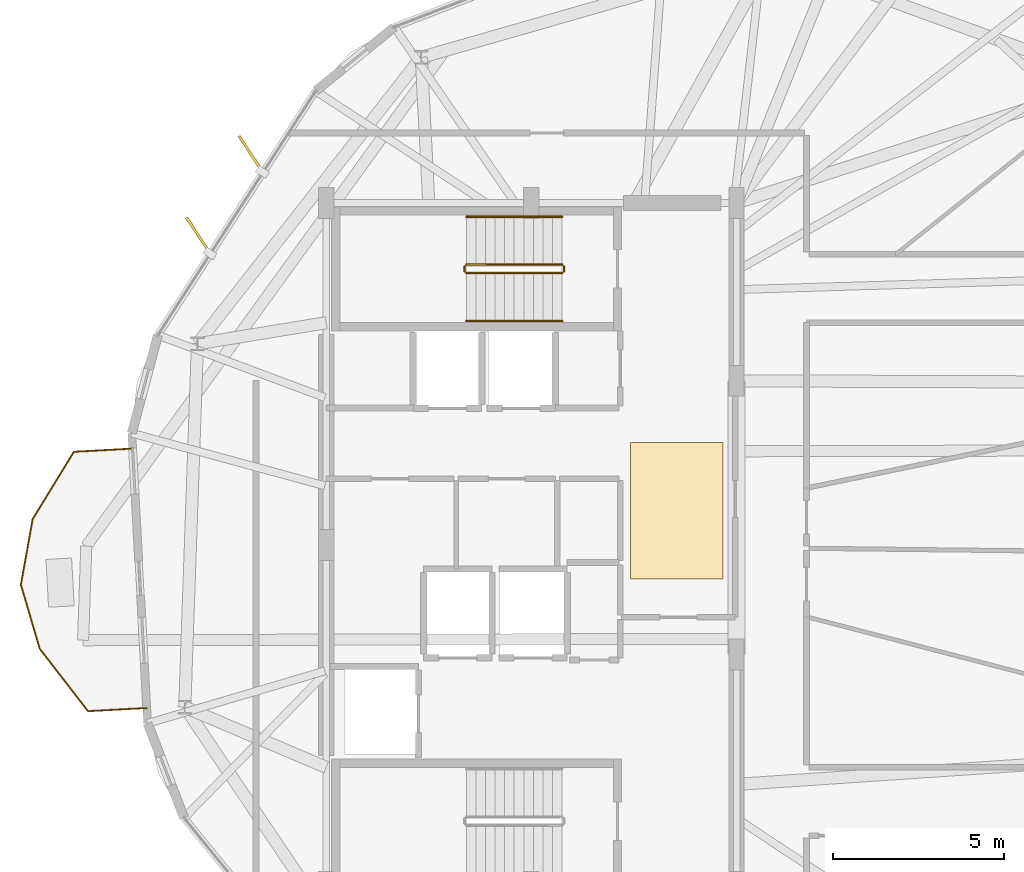
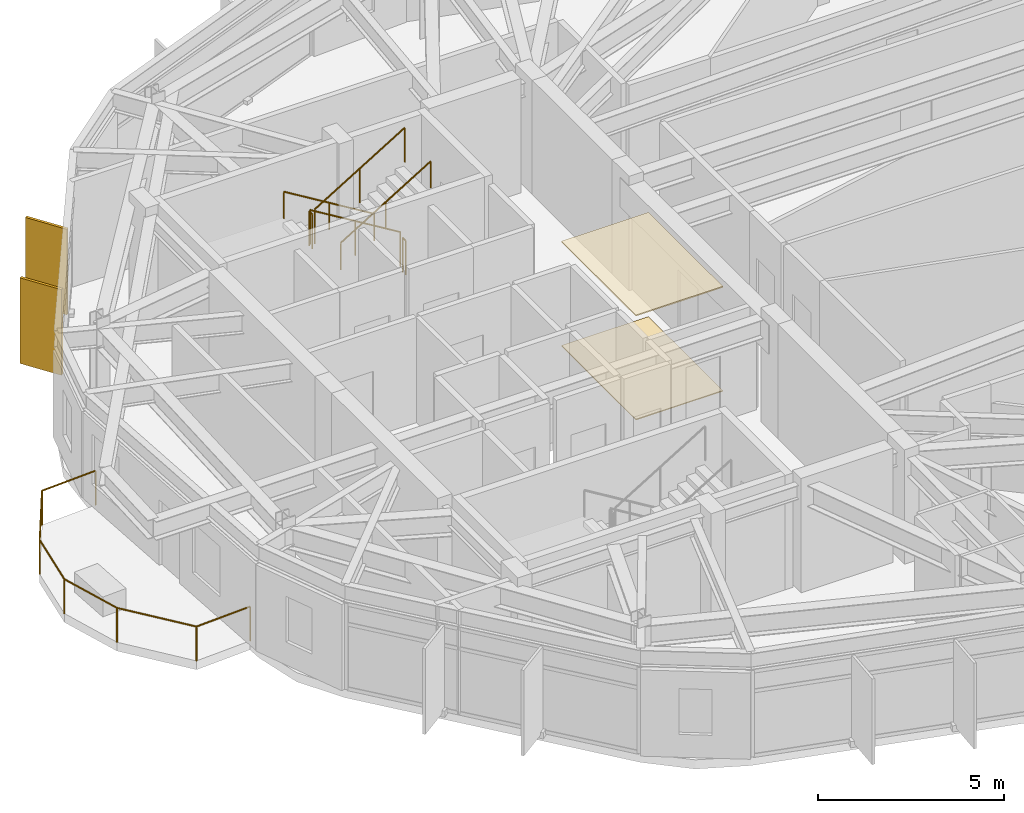
# One storey, part 25 of 26: 7 railings, 2 coverings, 2 shading devices.
"""IFC4 building model written with IfcOpenShell, lengths in metres."""

from ifc_helpers import new_model, si_unit, direction, frame, origin, origin_2d, place, context, subcontext, project, spatial, polyline, rectangle, circle, outline, extrude, material, layer, layer_set, type_object, element, save


model = new_model("IFC4")

# Units and contexts
model_context = context("Model", 3, precision=1e-05, world=origin(), true_north=direction((0.0, 1.0)))
body_context = subcontext(model_context, "Body", "Model", "MODEL_VIEW")
ifc_project = project(units=[si_unit("LENGTHUNIT", "METRE"), si_unit("AREAUNIT", "SQUARE_METRE"), si_unit("VOLUMEUNIT", "CUBIC_METRE"), si_unit("PLANEANGLEUNIT", "RADIAN"), si_unit("MASSUNIT", "GRAM", prefix="KILO")], contexts=[model_context])

# Site, building, storey
site_placement = place(None, origin())
site = spatial("IfcSite", under=ifc_project, at=site_placement, CompositionType="ELEMENT")
building_placement = place(site_placement, origin())
building = spatial("IfcBuilding", under=site, at=building_placement, Name="Soratama Intermodal Tower", CompositionType="ELEMENT")
storey_placement = place(building_placement, frame((0.0, 0.0, 242.5)))
storey = spatial("IfcBuildingStorey", under=building, at=storey_placement, Name="L61", CompositionType="ELEMENT", Elevation=242.5)

# Coverings
ifc_material_1 = material(Name="Perforated mineral acoustic ceiling", Category="concrete")
ifc_layer_1 = layer(ifc_material_1, 0.0400390625)
ifc_layer_set_1 = layer_set([ifc_layer_1], Name="Perforated mineral acoustic ceiling")
covering_type_1 = type_object("IfcCoveringType", Name="CV-CEIL-ACOUSTIC", PredefinedType="CEILING", material=ifc_layer_set_1)
covering_1_placement = place(storey_placement, frame((0.0, 0.0, 3.409912109375)))
element("IfcCovering", 1, at=covering_1_placement, inside=storey, type_object=covering_type_1, Name="L61 Acoustic Ceiling", PredefinedType="CEILING", context=body_context, shape_type="SweptSolid", body=[
    extrude(outline(polyline([(41.5, 24.0), (44.199951171875, 24.0), (44.199951171875, 28.0), (41.5, 28.0), (41.5, 24.0)])), origin(), (0.0, 0.0, 1.0), 0.0400390625),
])
ifc_material_2 = material(Name="Polished Andean stone terrazzo flooring", Category="masonry")
ifc_layer_2 = layer(ifc_material_2, 0.030029296875)
ifc_layer_set_2 = layer_set([ifc_layer_2], Name="Polished Andean stone terrazzo flooring")
covering_type_2 = type_object("IfcCoveringType", Name="CV-FLOR-TERRAZZO", PredefinedType="FLOORING", material=ifc_layer_set_2)
covering_2_placement = place(storey_placement, origin())
element("IfcCovering", 2, at=covering_2_placement, inside=storey, type_object=covering_type_2, Name="L61 Lobby Terrazzo Flooring", PredefinedType="FLOORING", context=body_context, shape_type="SweptSolid", body=[
    extrude(outline(polyline([(41.5, 24.0), (44.199951171875, 24.0), (44.199951171875, 28.0), (41.5, 28.0), (41.5, 24.0)])), origin(), (0.0, 0.0, 1.0), 0.030029296875),
])

# Railings
ifc_material_3 = material(Name="Laminated glass and stainless steel balustrade", Category="steel")
railing_type_1 = type_object("IfcRailingType", Name="RL-BAL-1150", PredefinedType="BALUSTRADE", material=ifc_material_3)
railing_1_placement = place(storey_placement, frame((27.353515625, 20.232421875, 0.0)))
element("IfcRailing", 3, at=railing_1_placement, inside=storey, type_object=railing_type_1, Name="L61 Balcony Balustrade 3", PredefinedType="BALUSTRADE", context=body_context, shape_type="SweptSolid", body=[
    extrude(circle(Radius=0.02392578125, at=origin_2d()), frame((0.0, 0.0, 1.1259765625), z_axis=(-0.998521316452, -0.054361572736, 0.0), x_axis=(0.054361572736, -0.998521316452, 0.0)), (0.0, 0.0, 1.0), 1.719970703125),
    extrude(circle(Radius=0.02392578125, at=origin_2d()), frame((-1.717529296875, -0.093505859375, 1.1259765625), z_axis=(-0.611880889467, 0.790949920732, 0.0), x_axis=(-0.790949920732, -0.611880889467, 0.0)), (0.0, 0.0, 1.0), 2.30810546875),
    extrude(circle(Radius=0.02392578125, at=origin_2d()), frame((-3.1298828125, 1.732177734375, 1.1259765625), z_axis=(-0.282606348441, 0.95923597296, 0.0), x_axis=(-0.95923597296, -0.282606348441, 0.0)), (0.0, 0.0, 1.0), 1.952392578125),
    extrude(circle(Radius=0.02392578125, at=origin_2d()), frame((-3.681640625, 3.60498046875, 1.1259765625), z_axis=(0.176695125989, 0.984265631043, 0.0), x_axis=(-0.984265631043, 0.176695125989, 0.0)), (0.0, 0.0, 1.0), 1.952392578125),
    extrude(circle(Radius=0.02392578125, at=origin_2d()), frame((-3.336669921875, 5.526611328125, 1.1259765625), z_axis=(0.522266893052, 0.852782089647, 0.0), x_axis=(-0.852782089647, 0.522266893052, 0.0)), (0.0, 0.0, 1.0), 2.308349609375),
    extrude(circle(Radius=0.02392578125, at=origin_2d()), frame((-2.131103515625, 7.4951171875, 1.1259765625), z_axis=(0.998513180297, 0.054510813368, 0.0), x_axis=(-0.054510813368, 0.998513180297, 0.0)), (0.0, 0.0, 1.0), 1.7197265625),
    extrude(circle(Radius=0.02099609375, at=origin_2d()), origin(), (0.0, 0.0, 1.0), 1.101806640625),
    extrude(circle(Radius=0.02099609375, at=origin_2d()), frame((-1.717529296875, -0.093505859375, 0.0)), (0.0, 0.0, 1.0), 1.101806640625),
    extrude(circle(Radius=0.02099609375, at=origin_2d()), frame((-3.1298828125, 1.732177734375, 0.0)), (0.0, 0.0, 1.0), 1.101806640625),
    extrude(circle(Radius=0.02099609375, at=origin_2d()), frame((-3.681640625, 3.60498046875, 0.0)), (0.0, 0.0, 1.0), 1.101806640625),
    extrude(circle(Radius=0.02099609375, at=origin_2d()), frame((-3.336669921875, 5.526611328125, 0.0)), (0.0, 0.0, 1.0), 1.101806640625),
    extrude(circle(Radius=0.02099609375, at=origin_2d()), frame((-2.131103515625, 7.4951171875, 0.0)), (0.0, 0.0, 1.0), 1.101806640625),
    extrude(circle(Radius=0.02099609375, at=origin_2d()), frame((-0.413818359375, 7.5888671875, 0.0)), (0.0, 0.0, 1.0), 1.101806640625),
])
ifc_material_4 = material(Name="Painted steel stair guardrail", Category="steel")
railing_type_2 = type_object("IfcRailingType", Name="RL-STAIR-GUARD", PredefinedType="GUARDRAIL", material=ifc_material_4)
railing_2_placement = place(storey_placement, frame((39.5, 33.199951171875, 0.17041015625)))
element("IfcRailing", 4, at=railing_2_placement, inside=storey, type_object=railing_type_2, Name="L61 ST-2 stair guard 1", PredefinedType="GUARDRAIL", context=body_context, shape_type="SweptSolid", body=[
    extrude(circle(Radius=0.02392578125, at=origin_2d()), frame((0.0, 0.0, 1.1259765625), z_axis=(-0.854169791009, 0.0, 0.51999420009), x_axis=(0.0, -1.0, 0.0)), (0.0, 0.0, 1.0), 3.278076171875),
    extrude(circle(Radius=0.02099609375, at=origin_2d()), origin(), (0.0, 0.0, 1.0), 1.101806640625),
    extrude(circle(Radius=0.02099609375, at=origin_2d()), frame((-1.39990234375, 0.0, 0.852294921875)), (0.0, 0.0, 1.0), 1.101806640625),
    extrude(circle(Radius=0.02099609375, at=origin_2d()), frame((-2.800048828125, 0.0, 1.70458984375)), (0.0, 0.0, 1.0), 1.101806640625),
])
railing_3_placement = place(storey_placement, frame((36.64990234375, 33.14990234375, 1.875)))
element("IfcRailing", 5, at=railing_3_placement, inside=storey, type_object=railing_type_2, Name="L61 ST-2 stair guard 2", PredefinedType="GUARDRAIL", context=body_context, shape_type="SweptSolid", body=[
    extrude(circle(Radius=0.02392578125, at=origin_2d()), frame((0.0, 0.0, 1.1259765625), z_axis=(0.0, -1.0, 0.0), x_axis=(1.0, 0.0, 0.0)), (0.0, 0.0, 1.0), 0.14990234375),
    extrude(circle(Radius=0.02099609375, at=origin_2d()), origin(), (0.0, 0.0, 1.0), 1.101806640625),
    extrude(circle(Radius=0.02099609375, at=origin_2d()), frame((0.0, -0.14990234375, 0.0)), (0.0, 0.0, 1.0), 1.101806640625),
])
railing_4_placement = place(storey_placement, frame((36.699951171875, 32.949951171875, 2.04541015625)))
element("IfcRailing", 6, at=railing_4_placement, inside=storey, type_object=railing_type_2, Name="L61 ST-2 stair guard 3", PredefinedType="GUARDRAIL", context=body_context, shape_type="SweptSolid", body=[
    extrude(circle(Radius=0.02392578125, at=origin_2d()), frame((0.0, 0.0, 1.1259765625), z_axis=(0.854169791009, 0.0, 0.51999420009), x_axis=(0.0, 1.0, 0.0)), (0.0, 0.0, 1.0), 3.278076171875),
    extrude(circle(Radius=0.02099609375, at=origin_2d()), origin(), (0.0, 0.0, 1.0), 1.101806640625),
    extrude(circle(Radius=0.02099609375, at=origin_2d()), frame((1.39990234375, 0.0, 0.852294921875)), (0.0, 0.0, 1.0), 1.101806640625),
    extrude(circle(Radius=0.02099609375, at=origin_2d()), frame((2.800048828125, 0.0, 1.70458984375)), (0.0, 0.0, 1.0), 1.101806640625),
])
railing_5_placement = place(storey_placement, frame((39.550048828125, 33.14990234375, 0.0)))
element("IfcRailing", 7, at=railing_5_placement, inside=storey, type_object=railing_type_2, Name="L61 ST-2 stair guard 4", PredefinedType="GUARDRAIL", context=body_context, shape_type="SweptSolid", body=[
    extrude(circle(Radius=0.02392578125, at=origin_2d()), frame((0.0, 0.0, 1.1259765625), z_axis=(0.0, -1.0, 0.0), x_axis=(1.0, 0.0, 0.0)), (0.0, 0.0, 1.0), 0.14990234375),
    extrude(circle(Radius=0.02099609375, at=origin_2d()), origin(), (0.0, 0.0, 1.0), 1.101806640625),
    extrude(circle(Radius=0.02099609375, at=origin_2d()), frame((0.0, -0.14990234375, 0.0)), (0.0, 0.0, 1.0), 1.101806640625),
])
ifc_material_5 = material(Name="Brushed stainless steel handrail", Category="steel")
railing_type_3 = type_object("IfcRailingType", Name="RL-STAIR-HAND", PredefinedType="HANDRAIL", material=ifc_material_5)
railing_6_placement = place(storey_placement, frame((39.5, 34.60009765625, 0.17041015625)))
element("IfcRailing", 8, at=railing_6_placement, inside=storey, type_object=railing_type_3, Name="L61 ST-2 stair handrail 1", PredefinedType="HANDRAIL", context=body_context, shape_type="SweptSolid", body=[
    extrude(circle(Radius=0.02392578125, at=origin_2d()), frame((0.0, 0.0, 0.8759765625), z_axis=(-0.854169791009, 0.0, 0.51999420009), x_axis=(0.0, -1.0, 0.0)), (0.0, 0.0, 1.0), 3.278076171875),
    extrude(circle(Radius=0.02099609375, at=origin_2d()), origin(), (0.0, 0.0, 1.0), 0.851806640625),
    extrude(circle(Radius=0.02099609375, at=origin_2d()), frame((-1.39990234375, 0.0, 0.852294921875)), (0.0, 0.0, 1.0), 0.851806640625),
    extrude(circle(Radius=0.02099609375, at=origin_2d()), frame((-2.800048828125, 0.0, 1.70458984375)), (0.0, 0.0, 1.0), 0.851806640625),
])
railing_7_placement = place(storey_placement, frame((36.699951171875, 31.550048828125, 2.04541015625)))
element("IfcRailing", 9, at=railing_7_placement, inside=storey, type_object=railing_type_3, Name="L61 ST-2 stair handrail 2", PredefinedType="HANDRAIL", context=body_context, shape_type="SweptSolid", body=[
    extrude(circle(Radius=0.02392578125, at=origin_2d()), frame((0.0, 0.0, 0.8759765625), z_axis=(0.854169791009, 0.0, 0.51999420009), x_axis=(0.0, 1.0, 0.0)), (0.0, 0.0, 1.0), 3.278076171875),
    extrude(circle(Radius=0.02099609375, at=origin_2d()), origin(), (0.0, 0.0, 1.0), 0.851806640625),
    extrude(circle(Radius=0.02099609375, at=origin_2d()), frame((1.39990234375, 0.0, 0.852294921875)), (0.0, 0.0, 1.0), 0.851806640625),
    extrude(circle(Radius=0.02099609375, at=origin_2d()), frame((2.800048828125, 0.0, 1.70458984375)), (0.0, 0.0, 1.0), 0.851806640625),
])

# Shading devices
ifc_material_6 = material(Name="Champagne anodised aluminium solar fin", Category="aluminium")
ifc_layer_3 = layer(ifc_material_6, 0.080078125)
ifc_layer_set_3 = layer_set([ifc_layer_3], Name="Champagne anodised aluminium solar fin")
shading_device_type = type_object("IfcShadingDeviceType", Name="SH-FIN-1250", PredefinedType="USERDEFINED", material=ifc_layer_set_3)
for number, where, z_axis, x_axis, name in (
    (10, (30.398193359375, 36.434814453125, 0.02001953125), (0.0, 0.0, 1.0), (-0.550772123421, 0.834655658378, 0.0), "L61 Solar Fin F03-1"),
    (11, (28.860107421875, 34.055419921875, 0.02001953125), (0.0, 0.0, 1.0), (-0.550772123421, 0.834655658378, 0.0), "L61 Solar Fin F03-2"),
):
    element("IfcShadingDevice", number, at=place(storey_placement, frame(where, z_axis=z_axis, x_axis=x_axis)), inside=storey, type_object=shading_device_type, Name=name, ObjectType="FIN", PredefinedType="USERDEFINED", context=body_context, shape_type="SweptSolid", body=[
        extrude(rectangle(XDim=1.25, YDim=0.080078125, at=origin_2d()), origin(), (0.0, 0.0, 1.0), 2.80908203125),
    ])

save(model, "model.ifc")
